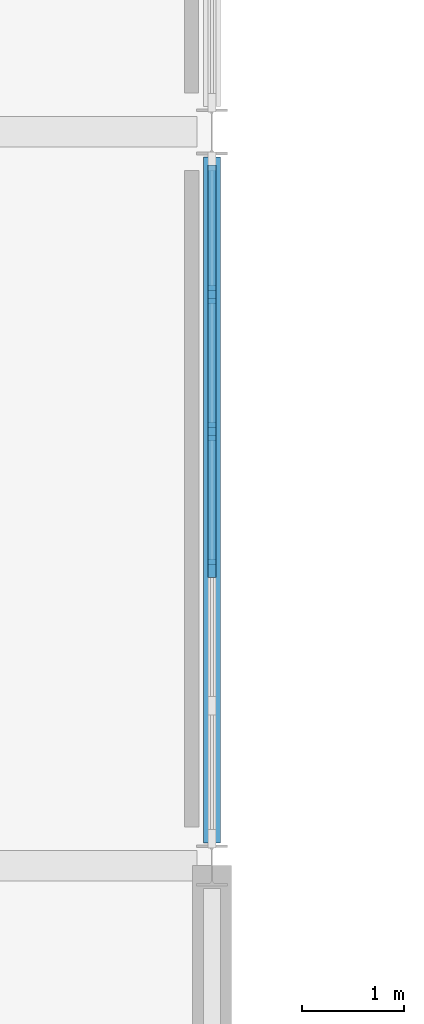
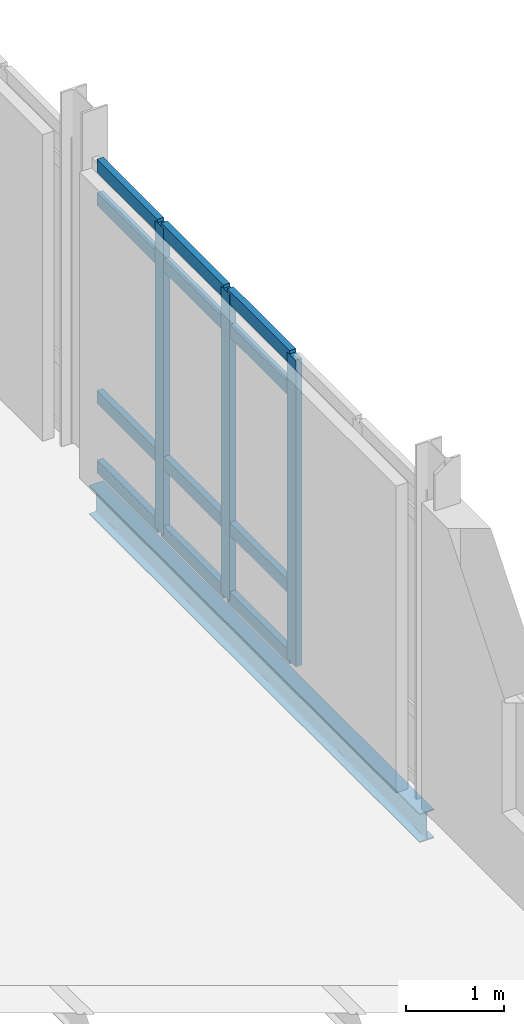
# One storey, part 31 of 76: 15 members, 1 beam, 1 element without a shape of its own.
"""IFC4 building model written with IfcOpenShell, lengths in metres."""

from ifc_helpers import new_model, si_unit, direction, frame, origin, origin_2d, place, context, subcontext, project, spatial, rectangle, i_section, extrude, material, layer, layer_set, material_profile, profile_set, type_object, element, aggregate, save


model = new_model("IFC4")

# Units and contexts
model_context = context("Model", 3, precision=1e-05, world=origin(), true_north=direction((0.0, 1.0)))
body_context = subcontext(model_context, "Body", "Model", "MODEL_VIEW")
ifc_project = project(units=[si_unit("LENGTHUNIT", "METRE"), si_unit("AREAUNIT", "SQUARE_METRE"), si_unit("VOLUMEUNIT", "CUBIC_METRE"), si_unit("PLANEANGLEUNIT", "RADIAN"), si_unit("MASSUNIT", "GRAM", prefix="KILO")], contexts=[model_context])

# Site, building, storey
site_placement = place(None, origin())
site = spatial("IfcSite", under=ifc_project, at=site_placement, CompositionType="ELEMENT")
building_placement = place(site_placement, origin())
building = spatial("IfcBuilding", under=site, at=building_placement, Name="Zarrinpeak Specialist Clinic", CompositionType="ELEMENT")
storey_placement = place(building_placement, frame((0.0, 0.0, 5.199951171875)))
storey = spatial("IfcBuildingStorey", under=building, at=storey_placement, Name="L01", CompositionType="ELEMENT", Elevation=5.199951171875)

# Beam
ifc_material_1 = material(Name="Steel S355", Category="steel")
ifc_material_profile_1 = material_profile(ifc_material_1, i_section(OverallWidth=0.169921875, OverallDepth=0.360107421875, WebThickness=0.008056640625, FlangeThickness=0.0126953125, FilletRadius=0.01806640625, at=origin_2d()), Name="IPE 360")
ifc_profile_set_1 = profile_set([ifc_material_profile_1], Name="Steel S355")
beam_type = type_object("IfcBeamType", Name="BM-SP360", PredefinedType="SPANDREL", material=ifc_profile_set_1)
beam_placement = place(storey_placement, frame((64.800048828125, 89.423095703125, -0.409912109375), z_axis=(0.0, 1.0, 0.0), x_axis=(-1.0, 0.0, 0.0)))
element("IfcBeam", 1, at=beam_placement, inside=storey, type_object=beam_type, Name="L01 Perimeter Spandrel Beam BM-L01-Y0919", PredefinedType="SPANDREL", context=body_context, shape_type="SweptSolid", body=[
    extrude(i_section(OverallWidth=0.169921875, OverallDepth=0.360107421875, WebThickness=0.008056640625, FlangeThickness=0.0126953125, FilletRadius=0.01806640625, at=origin_2d()), origin(), (0.0, 0.0, 1.0), 6.72900390625),
])

# Curtain wall, members
ifc_material_2 = material(Name="Anodised Aluminium Alloy 6063-T6", Category="aluminium")
ifc_layer = layer(ifc_material_2, 0.1650390625)
ifc_layer_set = layer_set([ifc_layer], Name="Anodised Aluminium Alloy 6063-T6")
curtain_wall_type = type_object("IfcCurtainWallType", Name="CW-CLINIC", PredefinedType="NOTDEFINED", material=ifc_layer_set)
curtain_wall_placement = place(storey_placement, origin())
curtain_wall = element("IfcCurtainWall", 2, at=curtain_wall_placement, inside=storey, type_object=curtain_wall_type, Name="L01 V6 Unitised Curtain Wall CW-L01-V6-139", PredefinedType="NOTDEFINED")
ifc_material_profile_2 = material_profile(ifc_material_2, rectangle(XDim=0.074951171875, YDim=0.179931640625, at=origin_2d()), Name="ALU 75x180")
ifc_profile_set_2 = profile_set([ifc_material_profile_2], Name="Anodised Aluminium Alloy 6063-T6")
member_type_1 = type_object("IfcMemberType", Name="CWM-75", PredefinedType="MULLION", material=ifc_profile_set_2)
member_1_placement = place(storey_placement, frame((64.800048828125, 92.114990234375, 0.0), z_axis=(0.0, 0.0, 1.0), x_axis=(-1.0, 0.0, 0.0)))
member_1 = element("IfcMember", 3, at=member_1_placement, type_object=member_type_1, Name="CW-03 mullion 3", PredefinedType="MULLION", context=body_context, shape_type="SweptSolid", body=[
    extrude(rectangle(XDim=0.074951171875, YDim=0.179931640625, at=origin_2d()), origin(), (0.0, 0.0, 1.0), 3.81005859375),
])
member_2_placement = place(storey_placement, frame((64.800048828125, 93.4599609375, 0.0), z_axis=(0.0, 0.0, 1.0), x_axis=(-1.0, 0.0, 0.0)))
member_2 = element("IfcMember", 4, at=member_2_placement, type_object=member_type_1, Name="CW-03 mullion 4", PredefinedType="MULLION", context=body_context, shape_type="SweptSolid", body=[
    extrude(rectangle(XDim=0.074951171875, YDim=0.179931640625, at=origin_2d()), origin(), (0.0, 0.0, 1.0), 3.81005859375),
])
member_3_placement = place(storey_placement, frame((64.800048828125, 94.804931640625, 0.0), z_axis=(0.0, 0.0, 1.0), x_axis=(-1.0, 0.0, 0.0)))
member_3 = element("IfcMember", 5, at=member_3_placement, type_object=member_type_1, Name="CW-03 mullion 5", PredefinedType="MULLION", context=body_context, shape_type="SweptSolid", body=[
    extrude(rectangle(XDim=0.074951171875, YDim=0.179931640625, at=origin_2d()), origin(), (0.0, 0.0, 1.0), 3.81005859375),
])
ifc_material_profile_3 = material_profile(ifc_material_2, rectangle(XDim=0.074951171875, YDim=0.159912109375, at=origin_2d()), Name="ALU 75x160")
ifc_profile_set_3 = profile_set([ifc_material_profile_3], Name="Anodised Aluminium Alloy 6063-T6")
member_type_2 = type_object("IfcMemberType", Name="CWT-75", PredefinedType="USERDEFINED", material=ifc_profile_set_3)
member_4_placement = place(storey_placement, frame((64.800048828125, 92.152587890625, 0.03759765625), z_axis=(0.0, 1.0, 0.0), x_axis=(-1.0, 0.0, 0.0)))
member_4 = element("IfcMember", 6, at=member_4_placement, type_object=member_type_2, Name="CW-03 transom 3.1", ObjectType="TRANSOM", PredefinedType="USERDEFINED", context=body_context, shape_type="SweptSolid", body=[
    extrude(rectangle(XDim=0.074951171875, YDim=0.159912109375, at=origin_2d()), origin(), (0.0, 0.0, 1.0), 1.27001953125),
])
member_5_placement = place(storey_placement, frame((64.800048828125, 92.152587890625, 0.900146484375), z_axis=(0.0, 1.0, 0.0), x_axis=(-1.0, 0.0, 0.0)))
member_5 = element("IfcMember", 7, at=member_5_placement, type_object=member_type_2, Name="CW-03 transom 3.2", ObjectType="TRANSOM", PredefinedType="USERDEFINED", context=body_context, shape_type="SweptSolid", body=[
    extrude(rectangle(XDim=0.074951171875, YDim=0.159912109375, at=origin_2d()), origin(), (0.0, 0.0, 1.0), 1.27001953125),
])
member_6_placement = place(storey_placement, frame((64.800048828125, 92.152587890625, 3.360107421875), z_axis=(0.0, 1.0, 0.0), x_axis=(-1.0, 0.0, 0.0)))
member_6 = element("IfcMember", 8, at=member_6_placement, type_object=member_type_2, Name="CW-03 transom 3.3", ObjectType="TRANSOM", PredefinedType="USERDEFINED", context=body_context, shape_type="SweptSolid", body=[
    extrude(rectangle(XDim=0.074951171875, YDim=0.159912109375, at=origin_2d()), origin(), (0.0, 0.0, 1.0), 1.27001953125),
])
member_7_placement = place(storey_placement, frame((64.800048828125, 92.152587890625, 3.7724609375), z_axis=(0.0, 1.0, 0.0), x_axis=(-1.0, 0.0, 0.0)))
member_7 = element("IfcMember", 9, at=member_7_placement, type_object=member_type_2, Name="CW-03 transom 3.4", ObjectType="TRANSOM", PredefinedType="USERDEFINED", context=body_context, shape_type="SweptSolid", body=[
    extrude(rectangle(XDim=0.074951171875, YDim=0.159912109375, at=origin_2d()), origin(), (0.0, 0.0, 1.0), 1.27001953125),
])
member_8_placement = place(storey_placement, frame((64.800048828125, 93.49755859375, 0.03759765625), z_axis=(0.0, 1.0, 0.0), x_axis=(-1.0, 0.0, 0.0)))
member_8 = element("IfcMember", 10, at=member_8_placement, type_object=member_type_2, Name="CW-03 transom 4.1", ObjectType="TRANSOM", PredefinedType="USERDEFINED", context=body_context, shape_type="SweptSolid", body=[
    extrude(rectangle(XDim=0.074951171875, YDim=0.159912109375, at=origin_2d()), origin(), (0.0, 0.0, 1.0), 1.27001953125),
])
member_9_placement = place(storey_placement, frame((64.800048828125, 93.49755859375, 0.900146484375), z_axis=(0.0, 1.0, 0.0), x_axis=(-1.0, 0.0, 0.0)))
member_9 = element("IfcMember", 11, at=member_9_placement, type_object=member_type_2, Name="CW-03 transom 4.2", ObjectType="TRANSOM", PredefinedType="USERDEFINED", context=body_context, shape_type="SweptSolid", body=[
    extrude(rectangle(XDim=0.074951171875, YDim=0.159912109375, at=origin_2d()), origin(), (0.0, 0.0, 1.0), 1.27001953125),
])
member_10_placement = place(storey_placement, frame((64.800048828125, 93.49755859375, 3.360107421875), z_axis=(0.0, 1.0, 0.0), x_axis=(-1.0, 0.0, 0.0)))
member_10 = element("IfcMember", 12, at=member_10_placement, type_object=member_type_2, Name="CW-03 transom 4.3", ObjectType="TRANSOM", PredefinedType="USERDEFINED", context=body_context, shape_type="SweptSolid", body=[
    extrude(rectangle(XDim=0.074951171875, YDim=0.159912109375, at=origin_2d()), origin(), (0.0, 0.0, 1.0), 1.27001953125),
])
member_11_placement = place(storey_placement, frame((64.800048828125, 93.49755859375, 3.7724609375), z_axis=(0.0, 1.0, 0.0), x_axis=(-1.0, 0.0, 0.0)))
member_11 = element("IfcMember", 13, at=member_11_placement, type_object=member_type_2, Name="CW-03 transom 4.4", ObjectType="TRANSOM", PredefinedType="USERDEFINED", context=body_context, shape_type="SweptSolid", body=[
    extrude(rectangle(XDim=0.074951171875, YDim=0.159912109375, at=origin_2d()), origin(), (0.0, 0.0, 1.0), 1.27001953125),
])
member_12_placement = place(storey_placement, frame((64.800048828125, 94.842529296875, 0.03759765625), z_axis=(0.0, 1.0, 0.0), x_axis=(-1.0, 0.0, 0.0)))
member_12 = element("IfcMember", 14, at=member_12_placement, type_object=member_type_2, Name="CW-03 transom 5.1", ObjectType="TRANSOM", PredefinedType="USERDEFINED", context=body_context, shape_type="SweptSolid", body=[
    extrude(rectangle(XDim=0.074951171875, YDim=0.159912109375, at=origin_2d()), origin(), (0.0, 0.0, 1.0), 1.232421875),
])
member_13_placement = place(storey_placement, frame((64.800048828125, 94.842529296875, 0.900146484375), z_axis=(0.0, 1.0, 0.0), x_axis=(-1.0, 0.0, 0.0)))
member_13 = element("IfcMember", 15, at=member_13_placement, type_object=member_type_2, Name="CW-03 transom 5.2", ObjectType="TRANSOM", PredefinedType="USERDEFINED", context=body_context, shape_type="SweptSolid", body=[
    extrude(rectangle(XDim=0.074951171875, YDim=0.159912109375, at=origin_2d()), origin(), (0.0, 0.0, 1.0), 1.232421875),
])
member_14_placement = place(storey_placement, frame((64.800048828125, 94.842529296875, 3.360107421875), z_axis=(0.0, 1.0, 0.0), x_axis=(-1.0, 0.0, 0.0)))
member_14 = element("IfcMember", 16, at=member_14_placement, type_object=member_type_2, Name="CW-03 transom 5.3", ObjectType="TRANSOM", PredefinedType="USERDEFINED", context=body_context, shape_type="SweptSolid", body=[
    extrude(rectangle(XDim=0.074951171875, YDim=0.159912109375, at=origin_2d()), origin(), (0.0, 0.0, 1.0), 1.232421875),
])
member_15_placement = place(storey_placement, frame((64.800048828125, 94.842529296875, 3.7724609375), z_axis=(0.0, 1.0, 0.0), x_axis=(-1.0, 0.0, 0.0)))
member_15 = element("IfcMember", 17, at=member_15_placement, type_object=member_type_2, Name="CW-03 transom 5.4", ObjectType="TRANSOM", PredefinedType="USERDEFINED", context=body_context, shape_type="SweptSolid", body=[
    extrude(rectangle(XDim=0.074951171875, YDim=0.159912109375, at=origin_2d()), origin(), (0.0, 0.0, 1.0), 1.232421875),
])
aggregate(curtain_wall, [member_1, member_2, member_3, member_4, member_5, member_6, member_7, member_8, member_9, member_10, member_11, member_12, member_13, member_14, member_15])

save(model, "model.ifc")
